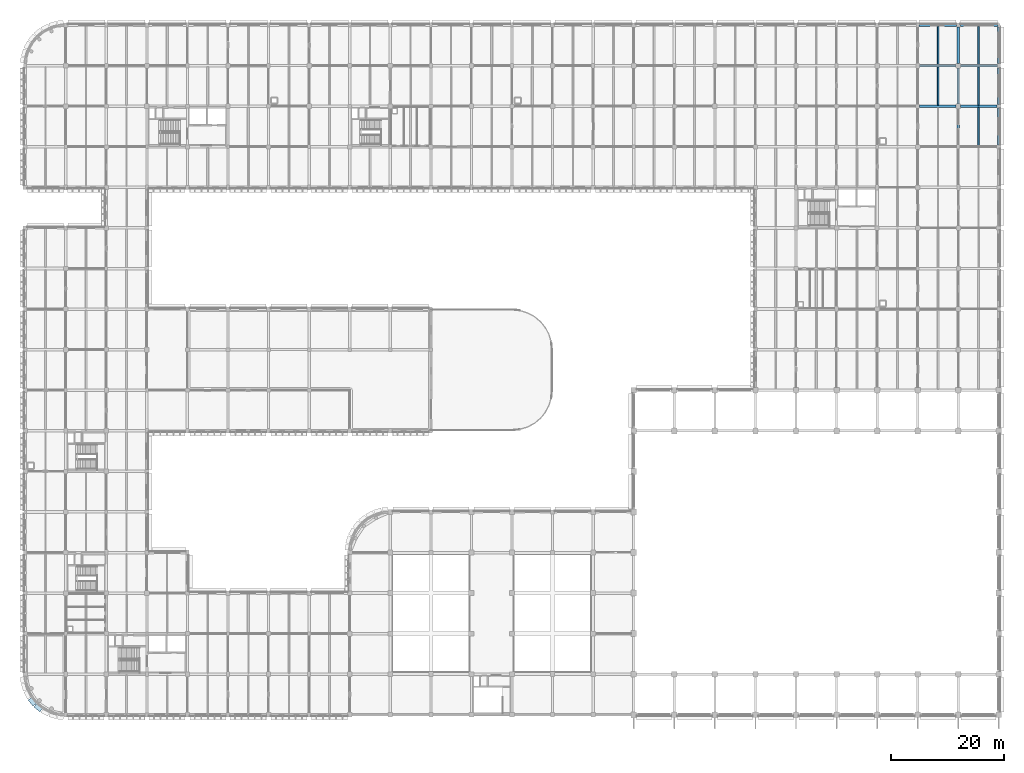
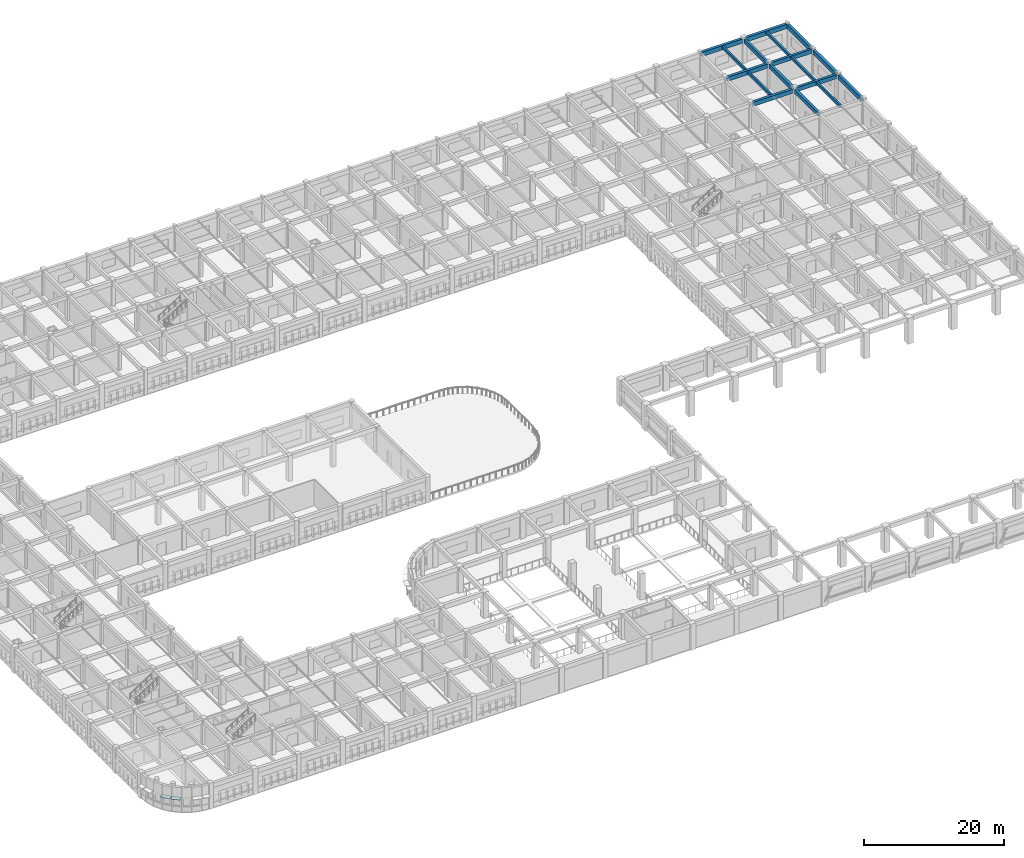
# One storey, part 14 of 61: 17 beams, 2 plates.
"""IFC4 building model written with IfcOpenShell, lengths in metres."""

from ifc_helpers import new_model, si_unit, direction, frame, origin, origin_2d, place, context, subcontext, project, spatial, rectangle, extrude, material, layer, layer_set, material_profile, profile_set, type_object, element, save


model = new_model("IFC4")

# Units and contexts
model_context = context("Model", 3, precision=1e-05, world=origin(), true_north=direction((0.0, 1.0)))
body_context = subcontext(model_context, "Body", "Model", "MODEL_VIEW")
ifc_project = project(units=[si_unit("LENGTHUNIT", "METRE"), si_unit("AREAUNIT", "SQUARE_METRE"), si_unit("VOLUMEUNIT", "CUBIC_METRE"), si_unit("PLANEANGLEUNIT", "RADIAN"), si_unit("MASSUNIT", "GRAM", prefix="KILO")], contexts=[model_context])

# Site, building, storey
site_placement = place(None, origin())
site = spatial("IfcSite", under=ifc_project, at=site_placement, CompositionType="ELEMENT")
building_placement = place(site_placement, origin())
building = spatial("IfcBuilding", under=site, at=building_placement, Name="Thalmaran Polytechnic", CompositionType="ELEMENT")
storey_placement = place(building_placement, frame((0.0, 0.0, 9.89990234375)))
storey = spatial("IfcBuildingStorey", under=building, at=storey_placement, Name="L02", CompositionType="ELEMENT", Elevation=9.89990234375)

# Beams
ifc_material_1 = material(Name="Concrete C40/50", Category="concrete")
ifc_material_profile_1 = material_profile(ifc_material_1, rectangle(XDim=0.39990234375, YDim=0.699951171875, at=origin_2d()), Name="RC 400x700")
ifc_profile_set_1 = profile_set([ifc_material_profile_1], Name="Concrete C40/50")
beam_type_1 = type_object("IfcBeamType", Name="BM-RC05", PredefinedType="BEAM", material=ifc_profile_set_1)
beam_1_placement = place(storey_placement, frame((165.989990234375, 108.0, 3.875), z_axis=(1.0, 0.0, 0.0), x_axis=(0.0, 1.0, 0.0)))
element("IfcBeam", 1, at=beam_1_placement, inside=storey, type_object=beam_type_1, Name="Grid Beam B05 L02 X(23,15)", PredefinedType="BEAM", context=body_context, shape_type="SweptSolid", body=[
    extrude(rectangle(XDim=0.39990234375, YDim=0.699951171875, at=origin_2d()), origin(), (0.0, 0.0, 1.0), 6.4599609375),
])
beam_2_placement = place(storey_placement, frame((165.97509765625, 115.199951171875, 3.875), z_axis=(1.0, 0.0, 0.0), x_axis=(0.0, 1.0, 0.0)))
element("IfcBeam", 2, at=beam_2_placement, inside=storey, type_object=beam_type_1, Name="Grid Beam B05 L02 X(23,16)", PredefinedType="BEAM", context=body_context, shape_type="SweptSolid", body=[
    extrude(rectangle(XDim=0.39990234375, YDim=0.699951171875, at=origin_2d()), origin(), (0.0, 0.0, 1.0), 6.5498046875),
])
ifc_material_profile_2 = material_profile(ifc_material_1, rectangle(XDim=0.389892578125, YDim=0.68994140625, at=origin_2d()), Name="RC 390x690")
ifc_profile_set_2 = profile_set([ifc_material_profile_2], Name="Concrete C40/50")
beam_type_2 = type_object("IfcBeamType", Name="BM-RC09", PredefinedType="BEAM", material=ifc_profile_set_2)
beam_3_placement = place(storey_placement, frame((165.60009765625, 108.389892578125, 3.880126953125), z_axis=(0.0, 1.0, 0.0), x_axis=(-1.0, 0.0, 0.0)))
element("IfcBeam", 3, at=beam_3_placement, inside=storey, type_object=beam_type_2, Name="Grid Beam B09 L02 Y(23,15)", PredefinedType="BEAM", context=body_context, shape_type="SweptSolid", body=[
    extrude(rectangle(XDim=0.389892578125, YDim=0.68994140625, at=origin_2d()), origin(), (0.0, 0.0, 1.0), 6.43505859375),
])
ifc_material_profile_3 = material_profile(ifc_material_1, rectangle(XDim=0.300048828125, YDim=0.5, at=origin_2d()), Name="RC 300x500")
ifc_profile_set_3 = profile_set([ifc_material_profile_3], Name="Concrete C40/50")
beam_type_3 = type_object("IfcBeamType", Name="BM-RC11", PredefinedType="JOIST", material=ifc_profile_set_3)
beam_4_placement = place(storey_placement, frame((162.0, 108.219970703125, 3.97509765625), z_axis=(0.0, 1.0, 0.0), x_axis=(-1.0, 0.0, 0.0)))
element("IfcBeam", 4, at=beam_4_placement, inside=storey, type_object=beam_type_3, Name="Secondary Floor Rib RB01 L02 (22,15)", PredefinedType="JOIST", context=body_context, shape_type="SweptSolid", body=[
    extrude(rectangle(XDim=0.300048828125, YDim=0.5, at=origin_2d()), origin(), (0.0, 0.0, 1.0), 6.760009765625),
])
beam_5_placement = place(storey_placement, frame((169.199951171875, 101.0, 3.97509765625), z_axis=(0.0, 1.0, 0.0), x_axis=(-1.0, 0.0, 0.0)))
element("IfcBeam", 5, at=beam_5_placement, inside=storey, type_object=beam_type_3, Name="Secondary Floor Rib RB01 L02 (23,14)", PredefinedType="JOIST", context=body_context, shape_type="SweptSolid", body=[
    extrude(rectangle(XDim=0.300048828125, YDim=0.5, at=origin_2d()), origin(), (0.0, 0.0, 1.0), 6.800048828125),
])
ifc_material_profile_4 = material_profile(ifc_material_1, rectangle(XDim=0.300048828125, YDim=0.449951171875, at=origin_2d()), Name="RC 300x450")
ifc_profile_set_4 = profile_set([ifc_material_profile_4], Name="Concrete C40/50")
beam_type_4 = type_object("IfcBeamType", Name="BM-RC12", PredefinedType="JOIST", material=ifc_profile_set_4)
beam_6_placement = place(storey_placement, frame((169.199951171875, 115.39990234375, 4.0), z_axis=(0.0, 1.0, 0.0), x_axis=(-1.0, 0.0, 0.0)))
element("IfcBeam", 6, at=beam_6_placement, inside=storey, type_object=beam_type_4, Name="Secondary Floor Rib RB02 L02 (23,16)", PredefinedType="JOIST", context=body_context, shape_type="SweptSolid", body=[
    extrude(rectangle(XDim=0.300048828125, YDim=0.449951171875, at=origin_2d()), origin(), (0.0, 0.0, 1.0), 6.775146484375),
])
ifc_material_profile_5 = material_profile(ifc_material_1, rectangle(XDim=0.449951171875, YDim=0.7548828125, at=origin_2d()), Name="RC 450x755")
ifc_profile_set_5 = profile_set([ifc_material_profile_5], Name="Concrete C40/50")
beam_type_5 = type_object("IfcBeamType", Name="BM-SP02", PredefinedType="SPANDREL", material=ifc_profile_set_5)
beam_7_placement = place(storey_placement, frame((158.60009765625, 122.39990234375, 3.84765625), z_axis=(1.0, 0.0, 0.0), x_axis=(0.0, 1.0, 0.0)))
element("IfcBeam", 7, at=beam_7_placement, inside=storey, type_object=beam_type_5, Name="Grid Beam SP02 L02 X(22,17)", PredefinedType="SPANDREL", context=body_context, shape_type="SweptSolid", body=[
    extrude(rectangle(XDim=0.449951171875, YDim=0.7548828125, at=origin_2d()), origin(), (0.0, 0.0, 1.0), 6.639892578125),
])
beam_8_placement = place(storey_placement, frame((165.9599609375, 122.39990234375, 3.84765625), z_axis=(1.0, 0.0, 0.0), x_axis=(0.0, 1.0, 0.0)))
element("IfcBeam", 8, at=beam_8_placement, inside=storey, type_object=beam_type_5, Name="Grid Beam SP02 L02 X(23,17)", PredefinedType="SPANDREL", context=body_context, shape_type="SweptSolid", body=[
    extrude(rectangle(XDim=0.449951171875, YDim=0.7548828125, at=origin_2d()), origin(), (0.0, 0.0, 1.0), 6.64013671875),
])
beam_9_placement = place(storey_placement, frame((172.800048828125, 101.159912109375, 3.84765625), z_axis=(0.0, 1.0, 0.0), x_axis=(-1.0, 0.0, 0.0)))
element("IfcBeam", 9, at=beam_9_placement, inside=storey, type_object=beam_type_5, Name="Grid Beam SP02 L02 Y(24,14)", PredefinedType="SPANDREL", context=body_context, shape_type="SweptSolid", body=[
    extrude(rectangle(XDim=0.449951171875, YDim=0.7548828125, at=origin_2d()), origin(), (0.0, 0.0, 1.0), 6.489990234375),
])
beam_10_placement = place(storey_placement, frame((172.800048828125, 108.35009765625, 3.84765625), z_axis=(0.0, 1.0, 0.0), x_axis=(-1.0, 0.0, 0.0)))
element("IfcBeam", 10, at=beam_10_placement, inside=storey, type_object=beam_type_5, Name="Grid Beam SP02 L02 Y(24,15)", PredefinedType="SPANDREL", context=body_context, shape_type="SweptSolid", body=[
    extrude(rectangle(XDim=0.449951171875, YDim=0.7548828125, at=origin_2d()), origin(), (0.0, 0.0, 1.0), 6.4248046875),
])
beam_11_placement = place(storey_placement, frame((172.800048828125, 115.625, 3.84765625), z_axis=(0.0, 1.0, 0.0), x_axis=(-1.0, 0.0, 0.0)))
element("IfcBeam", 11, at=beam_11_placement, inside=storey, type_object=beam_type_5, Name="Grid Beam SP02 L02 Y(24,16)", PredefinedType="SPANDREL", context=body_context, shape_type="SweptSolid", body=[
    extrude(rectangle(XDim=0.449951171875, YDim=0.7548828125, at=origin_2d()), origin(), (0.0, 0.0, 1.0), 6.47509765625),
])
ifc_material_profile_6 = material_profile(ifc_material_1, rectangle(XDim=0.43994140625, YDim=0.719970703125, at=origin_2d()), Name="RC 440x720")
ifc_profile_set_6 = profile_set([ifc_material_profile_6], Name="Concrete C40/50")
beam_type_6 = type_object("IfcBeamType", Name="BM-ZB03", PredefinedType="BEAM", material=ifc_profile_set_6)
beam_12_placement = place(storey_placement, frame((158.75, 108.0, 3.864990234375), z_axis=(1.0, 0.0, 0.0), x_axis=(0.0, 1.0, 0.0)))
element("IfcBeam", 12, at=beam_12_placement, inside=storey, type_object=beam_type_6, Name="Grid Beam ZB03 L02 X(22,15)", PredefinedType="BEAM", context=body_context, shape_type="SweptSolid", body=[
    extrude(rectangle(XDim=0.43994140625, YDim=0.719970703125, at=origin_2d()), origin(), (0.0, 0.0, 1.0), 6.4599609375),
])
beam_13_placement = place(storey_placement, frame((158.675048828125, 115.199951171875, 3.864990234375), z_axis=(1.0, 0.0, 0.0), x_axis=(0.0, 1.0, 0.0)))
element("IfcBeam", 13, at=beam_13_placement, inside=storey, type_object=beam_type_6, Name="Grid Beam ZB03 L02 X(22,16)", PredefinedType="BEAM", context=body_context, shape_type="SweptSolid", body=[
    extrude(rectangle(XDim=0.43994140625, YDim=0.719970703125, at=origin_2d()), origin(), (0.0, 0.0, 1.0), 6.550048828125),
])
ifc_material_profile_7 = material_profile(ifc_material_1, rectangle(XDim=0.39990234375, YDim=0.68505859375, at=origin_2d()), Name="RC 400x685")
ifc_profile_set_7 = profile_set([ifc_material_profile_7], Name="Concrete C40/50")
beam_type_7 = type_object("IfcBeamType", Name="BM-ZB07", PredefinedType="BEAM", material=ifc_profile_set_7)
beam_14_placement = place(storey_placement, frame((165.60009765625, 101.10009765625, 3.882568359375), z_axis=(0.0, 1.0, 0.0), x_axis=(-1.0, 0.0, 0.0)))
element("IfcBeam", 14, at=beam_14_placement, inside=storey, type_object=beam_type_7, Name="Grid Beam ZB07 L02 Y(23,14)", PredefinedType="BEAM", context=body_context, shape_type="SweptSolid", body=[
    extrude(rectangle(XDim=0.39990234375, YDim=0.68505859375, at=origin_2d()), origin(), (0.0, 0.0, 1.0), 6.510009765625),
])
ifc_material_profile_8 = material_profile(ifc_material_1, rectangle(XDim=0.39990234375, YDim=0.695068359375, at=origin_2d()), Name="RC 400x695")
ifc_profile_set_8 = profile_set([ifc_material_profile_8], Name="Concrete C40/50")
beam_type_8 = type_object("IfcBeamType", Name="BM-ZB08", PredefinedType="BEAM", material=ifc_profile_set_8)
beam_15_placement = place(storey_placement, frame((165.60009765625, 115.574951171875, 3.877685546875), z_axis=(0.0, 1.0, 0.0), x_axis=(-1.0, 0.0, 0.0)))
element("IfcBeam", 15, at=beam_15_placement, inside=storey, type_object=beam_type_8, Name="Grid Beam ZB08 L02 Y(23,16)", PredefinedType="BEAM", context=body_context, shape_type="SweptSolid", body=[
    extrude(rectangle(XDim=0.39990234375, YDim=0.695068359375, at=origin_2d()), origin(), (0.0, 0.0, 1.0), 6.465087890625),
])
ifc_material_profile_9 = material_profile(ifc_material_1, rectangle(XDim=0.280029296875, YDim=0.47998046875, at=origin_2d()), Name="RC 280x480")
ifc_profile_set_9 = profile_set([ifc_material_profile_9], Name="Concrete C40/50")
beam_type_9 = type_object("IfcBeamType", Name="BM-ZJ01", PredefinedType="JOIST", material=ifc_profile_set_9)
beam_16_placement = place(storey_placement, frame((162.0, 115.419921875, 3.985107421875), z_axis=(0.0, 1.0, 0.0), x_axis=(-1.0, 0.0, 0.0)))
element("IfcBeam", 16, at=beam_16_placement, inside=storey, type_object=beam_type_9, Name="Secondary Floor Rib ZJ01 L02 (22,16)", PredefinedType="JOIST", context=body_context, shape_type="SweptSolid", body=[
    extrude(rectangle(XDim=0.280029296875, YDim=0.47998046875, at=origin_2d()), origin(), (0.0, 0.0, 1.0), 6.755126953125),
])
beam_17_placement = place(storey_placement, frame((169.199951171875, 108.199951171875, 3.985107421875), z_axis=(0.0, 1.0, 0.0), x_axis=(-1.0, 0.0, 0.0)))
element("IfcBeam", 17, at=beam_17_placement, inside=storey, type_object=beam_type_9, Name="Secondary Floor Rib ZJ01 L02 (23,15)", PredefinedType="JOIST", context=body_context, shape_type="SweptSolid", body=[
    extrude(rectangle(XDim=0.280029296875, YDim=0.47998046875, at=origin_2d()), origin(), (0.0, 0.0, 1.0), 6.800048828125),
])

# Plates
ifc_material_2 = material(Name="Anodised aluminium sun-hood eyebrow", Category="aluminium")
ifc_layer = layer(ifc_material_2, 0.0849609375, Name="Anodised aluminium sun-hood eyebrow")
ifc_layer_set = layer_set([ifc_layer], Name="Anodised aluminium sun-hood eyebrow")
plate_type = type_object("IfcPlateType", Name="PT-EB01", PredefinedType="SHEET", material=ifc_layer_set)
for number, where, z_axis, x_axis, name in (
    (18, (2.311767578125, 1.24365234375, 2.517578125), (0.0, 0.0, 1.0), (-0.773010453363, 0.634393284164, 0.0), "Streamline Sun-Hood Eyebrow L02-095"),
    (19, (1.24365234375, 2.311767578125, 2.517578125), (0.0, 0.0, 1.0), (-0.634393284164, 0.773010453363, 0.0), "Streamline Sun-Hood Eyebrow L02-096"),
):
    element("IfcPlate", number, at=place(storey_placement, frame(where, z_axis=z_axis, x_axis=x_axis)), inside=storey, type_object=plate_type, Name=name, PredefinedType="SHEET", context=body_context, shape_type="SweptSolid", body=[
        extrude(rectangle(XDim=1.371337890625, YDim=0.760009765625, at=origin_2d()), origin(), (0.0, 0.0, 1.0), 0.0849609375),
    ])

save(model, "model.ifc")
